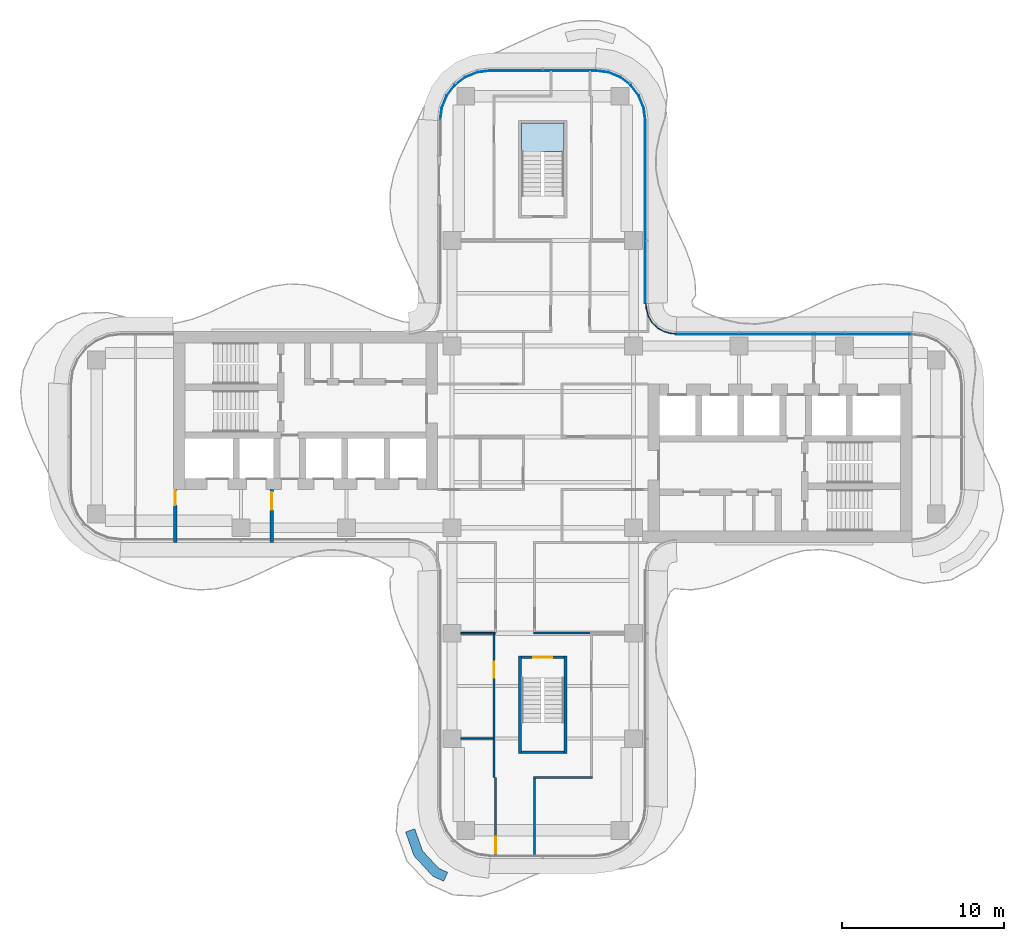
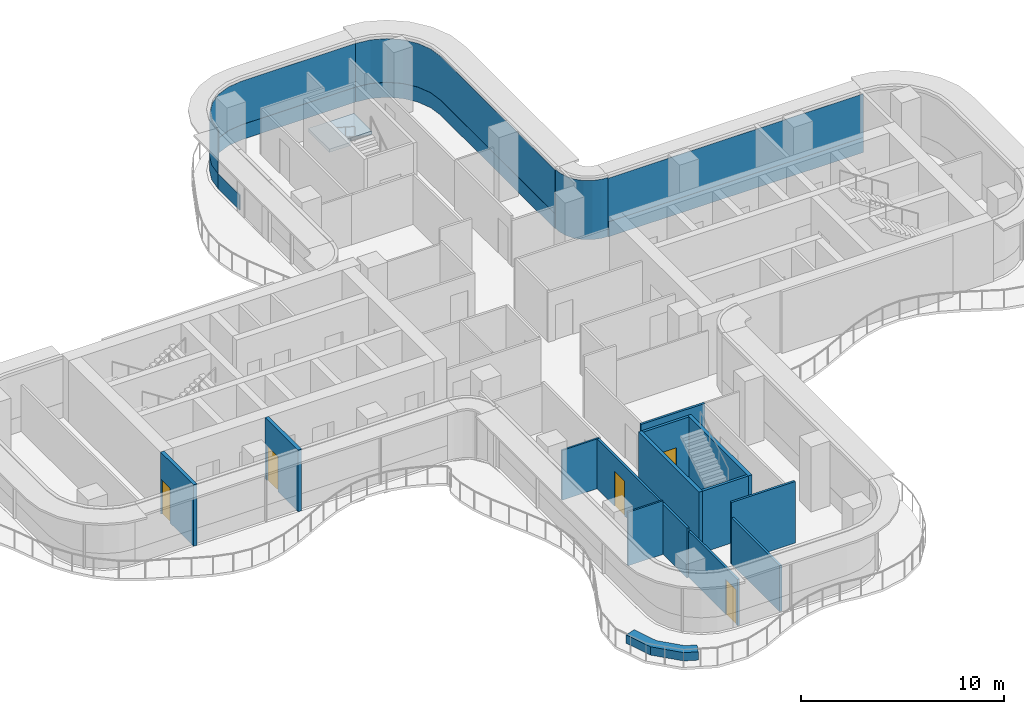
# One storey, part 11 of 17: 14 walls, 8 plates, 5 doors, 1 slab, 5 openings, 6 elements without a shape of their own.
"""IFC4 building model written with IfcOpenShell, lengths in metres."""

from ifc_helpers import new_model, si_unit, direction, frame, frame_2d, origin, place, context, subcontext, project, spatial, polyline, rectangle, outline, extrude, source, transform, mapped, material, layer, layer_set, type_object, element, fill, aggregate, save


model = new_model("IFC4")

# Units and contexts
model_context = context("Model", 3, precision=1e-05, world=origin(), true_north=direction((0.0, 1.0)))
body_context = subcontext(model_context, "Body", "Model", "MODEL_VIEW")
ifc_project = project(units=[si_unit("LENGTHUNIT", "METRE"), si_unit("AREAUNIT", "SQUARE_METRE"), si_unit("VOLUMEUNIT", "CUBIC_METRE"), si_unit("PLANEANGLEUNIT", "RADIAN"), si_unit("MASSUNIT", "GRAM", prefix="KILO")], contexts=[model_context])

# Site, building, storey
site_placement = place(None, origin())
site = spatial("IfcSite", under=ifc_project, at=site_placement, CompositionType="ELEMENT")
building_placement = place(site_placement, origin())
building = spatial("IfcBuilding", under=site, at=building_placement, Name="Trellis Farm Tower", CompositionType="ELEMENT")
storey_placement = place(building_placement, frame((0.0, 0.0, 232.39990234375)))
storey = spatial("IfcBuildingStorey", under=building, at=storey_placement, Name="L51", CompositionType="ELEMENT", Elevation=232.39990234375)

# Curtain wall, plate
ifc_material_1 = material(Name="Aluminium and glass curtain wall", Category="aluminium")
ifc_layer_1 = layer(ifc_material_1, 0.18994140625)
ifc_layer_set_1 = layer_set([ifc_layer_1], Name="RIBBON CURTAIN WALL CW1")
curtain_wall_type_1 = type_object("IfcCurtainWallType", Name="RIBBON CURTAIN WALL CW1", PredefinedType="NOTDEFINED", material=ifc_layer_set_1)
placement_1 = place(storey_placement, origin())
curtain_wall_1 = element("IfcCurtainWall", 1, at=placement_1, inside=storey, type_object=curtain_wall_type_1, Name="CW1 010", PredefinedType="NOTDEFINED")
ifc_material_2 = material(Name="Sandstone faced insulated panel", Category="masonry")
ifc_layer_2 = layer(ifc_material_2, 0.050048828125)
ifc_layer_set_2 = layer_set([ifc_layer_2], Name="CW1 STONE SPANDREL PANEL 50")
plate_type_1 = type_object("IfcPlateType", Name="CW1 STONE SPANDREL PANEL 50", PredefinedType="CURTAIN_PANEL", material=ifc_layer_set_2)
plate_1 = element("IfcPlate", 2, at=placement_1, type_object=plate_type_1, Name="PS1 010", PredefinedType="CURTAIN_PANEL", context=body_context, shape_type="SweptSolid", body=[
    extrude(outline(polyline([(-6.35009765625, 19.490234375), (-6.35009765625, 17.360107421875), (-6.300048828125, 17.360107421875), (-6.300048828125, 19.48681640625), (-6.35009765625, 19.490234375)])), origin(), (0.0, 0.0, 1.0), 0.900146484375),
])
aggregate(curtain_wall_1, [plate_1])

# Stair, slab
ifc_material_3 = material(Name="Concrete C50/60", Category="concrete")
stair_type = type_object("IfcStairType", Name="CORE EXIT STAIR 22 RISERS 177 MM", PredefinedType="HALF_TURN_STAIR", material=ifc_material_3)
stair = element("IfcStair", 3, at=placement_1, inside=storey, type_object=stair_type, Name="Exit stair N", PredefinedType="HALF_TURN_STAIR")
ifc_layer_3 = layer(ifc_material_3, 0.18994140625)
ifc_layer_set_3 = layer_set([ifc_layer_3], Name="CORE STAIR LANDING 190 CONCRETE C50/60")
slab_type = type_object("IfcSlabType", Name="CORE STAIR LANDING 190 CONCRETE C50/60", PredefinedType="LANDING", material=ifc_layer_set_3)
shared_shape_1 = source(origin(), body_context, "Body", "SweptSolid", [
    extrude(outline(polyline([(-0.10009765625, 17.27197265625), (-1.300048828125, 17.27197265625), (-1.300048828125, 17.60009765625), (-1.300048828125, 19.35009765625), (1.300048828125, 19.35009765625), (1.300048828125, 17.60009765625), (1.300048828125, 17.590087890625), (0.10009765625, 17.590087890625), (0.10009765625, 17.60009765625), (-0.10009765625, 17.60009765625), (-0.10009765625, 17.27197265625)])), origin(), (0.0, 0.0, 1.0), 0.190185546875),
])
slab_placement = place(storey_placement, frame((0.0, 0.0, 1.760009765625)))
slab = element("IfcSlab", 4, at=slab_placement, type_object=slab_type, Name="STN landing 1", PredefinedType="LANDING", context=body_context, shape_type="MappedRepresentation", body=[
    mapped(shared_shape_1, transform((0.0, 0.0, 0.0))),
])
aggregate(stair, [slab])

# Curtain wall, plate
ifc_layer_4 = layer(ifc_material_1, 0.166015625)
ifc_layer_set_4 = layer_set([ifc_layer_4], Name="WINTER GARDEN CURTAIN WALL CW3")
curtain_wall_type_2 = type_object("IfcCurtainWallType", Name="WINTER GARDEN CURTAIN WALL CW3", PredefinedType="NOTDEFINED", material=ifc_layer_set_4)
curtain_wall_2 = element("IfcCurtainWall", 5, at=placement_1, inside=storey, type_object=curtain_wall_type_2, Name="CW3 003", PredefinedType="NOTDEFINED")
ifc_material_4 = material(Name="Clear insulated glass", Category="glass")
ifc_layer_5 = layer(ifc_material_4, 0.0458984375)
ifc_layer_set_5 = layer_set([ifc_layer_5], Name="CW3 GLASS PANEL 46")
plate_type_2 = type_object("IfcPlateType", Name="CW3 GLASS PANEL 46", PredefinedType="CURTAIN_PANEL", material=ifc_layer_set_5)
shared_shape_2 = source(origin(), body_context, "Body", "SweptSolid", [
    extrude(outline(polyline([(8.2275390625, 6.3798828125), (8.0078125, 6.394287109375), (7.89208984375, 6.40966796875), (7.462158203125, 6.52490234375), (7.070556640625, 6.7509765625), (6.7509765625, 7.070556640625), (6.52490234375, 7.462158203125), (6.40966796875, 7.89208984375), (6.394287109375, 8.0078125), (6.3798828125, 8.2275390625), (6.333984375, 8.22607421875), (6.3486328125, 8.003173828125), (6.364501953125, 7.883056640625), (6.48193359375, 7.4443359375), (6.714111328125, 7.04248046875), (7.04248046875, 6.714111328125), (7.4443359375, 6.48193359375), (7.883056640625, 6.364501953125), (8.003173828125, 6.3486328125), (8.22607421875, 6.333984375), (8.2275390625, 6.3798828125)])), origin(), (0.0, 0.0, 1.0), 3.550048828125),
])
plate_2 = element("IfcPlate", 6, at=placement_1, type_object=plate_type_2, Name="PL3 003", PredefinedType="CURTAIN_PANEL", context=body_context, shape_type="MappedRepresentation", body=[
    mapped(shared_shape_2, transform((0.0, 0.0, 0.0))),
])
aggregate(curtain_wall_2, [plate_2])

# Curtain wall, plates
curtain_wall_3 = element("IfcCurtainWall", 7, at=placement_1, inside=storey, type_object=curtain_wall_type_1, Name="CW1 008", PredefinedType="NOTDEFINED")
ifc_layer_6 = layer(ifc_material_4, 0.0400390625)
ifc_layer_set_6 = layer_set([ifc_layer_6], Name="CW1 GLASS PANEL 40")
plate_type_3 = type_object("IfcPlateType", Name="CW1 GLASS PANEL 40", PredefinedType="CURTAIN_PANEL", material=ifc_layer_set_6)
shared_shape_3 = source(origin(), body_context, "Body", "SweptSolid", [
    extrude(outline(polyline([(6.35009765625, 8.2265625), (6.35009765625, 19.490234375), (6.2431640625, 20.302001953125), (5.93359375, 21.04931640625), (5.441162109375, 21.691162109375), (4.79931640625, 22.18359375), (4.052001953125, 22.4931640625), (3.240234375, 22.60009765625), (3.237548828125, 22.56005859375), (4.04150390625, 22.4541015625), (4.779296875, 22.148681640625), (5.41259765625, 21.66259765625), (5.898681640625, 21.029296875), (6.2041015625, 20.29150390625), (6.31005859375, 19.487548828125), (6.31005859375, 8.22509765625), (6.35009765625, 8.2265625)])), origin(), (0.0, 0.0, 1.0), 2.619873046875),
])
placement_2 = place(storey_placement, frame((0.0, 0.0, 0.900146484375)))
plate_3 = element("IfcPlate", 8, at=placement_2, type_object=plate_type_3, Name="PL1 008", PredefinedType="CURTAIN_PANEL", context=body_context, shape_type="MappedRepresentation", body=[
    mapped(shared_shape_3, transform((0.0, 0.0, 0.0))),
])
shared_shape_4 = source(origin(), body_context, "Body", "SweptSolid", [
    extrude(outline(polyline([(6.35009765625, 8.2265625), (6.35009765625, 19.490234375), (6.2431640625, 20.302001953125), (5.93359375, 21.04931640625), (5.441162109375, 21.691162109375), (4.79931640625, 22.18359375), (4.052001953125, 22.4931640625), (3.240234375, 22.60009765625), (3.23681640625, 22.550048828125), (4.0390625, 22.4443359375), (4.774169921875, 22.139892578125), (5.405517578125, 21.655517578125), (5.889892578125, 21.024169921875), (6.1943359375, 20.2890625), (6.300048828125, 19.48681640625), (6.300048828125, 8.224853515625), (6.35009765625, 8.2265625)])), origin(), (0.0, 0.0, 1.0), 0.900146484375),
])
plate_4 = element("IfcPlate", 9, at=placement_1, type_object=plate_type_1, Name="PS1 008", PredefinedType="CURTAIN_PANEL", context=body_context, shape_type="MappedRepresentation", body=[
    mapped(shared_shape_4, transform((0.0, 0.0, 0.0))),
])
aggregate(curtain_wall_3, [plate_3, plate_4])

curtain_wall_4 = element("IfcCurtainWall", 10, at=placement_1, inside=storey, type_object=curtain_wall_type_1, Name="CW1 009", PredefinedType="NOTDEFINED")
shared_shape_5 = source(origin(), body_context, "Body", "SweptSolid", [
    extrude(outline(polyline([(3.240234375, 22.60009765625), (-3.240234375, 22.60009765625), (-4.052001953125, 22.4931640625), (-4.79931640625, 22.18359375), (-5.441162109375, 21.691162109375), (-5.93359375, 21.04931640625), (-6.2431640625, 20.302001953125), (-6.35009765625, 19.490234375), (-6.31005859375, 19.487548828125), (-6.2041015625, 20.29150390625), (-5.898681640625, 21.029296875), (-5.41259765625, 21.66259765625), (-4.779296875, 22.148681640625), (-4.04150390625, 22.4541015625), (-3.237548828125, 22.56005859375), (3.237548828125, 22.56005859375), (3.240234375, 22.60009765625)])), origin(), (0.0, 0.0, 1.0), 2.619873046875),
])
plate_5 = element("IfcPlate", 11, at=placement_2, type_object=plate_type_3, Name="PL1 009", PredefinedType="CURTAIN_PANEL", context=body_context, shape_type="MappedRepresentation", body=[
    mapped(shared_shape_5, transform((0.0, 0.0, 0.0))),
])
shared_shape_6 = source(origin(), body_context, "Body", "SweptSolid", [
    extrude(outline(polyline([(3.240234375, 22.60009765625), (-3.240234375, 22.60009765625), (-4.052001953125, 22.4931640625), (-4.79931640625, 22.18359375), (-5.441162109375, 21.691162109375), (-5.93359375, 21.04931640625), (-6.2431640625, 20.302001953125), (-6.35009765625, 19.490234375), (-6.300048828125, 19.48681640625), (-6.1943359375, 20.2890625), (-5.889892578125, 21.024169921875), (-5.405517578125, 21.655517578125), (-4.774169921875, 22.139892578125), (-4.0390625, 22.4443359375), (-3.23681640625, 22.550048828125), (3.23681640625, 22.550048828125), (3.240234375, 22.60009765625)])), origin(), (0.0, 0.0, 1.0), 0.900146484375),
])
plate_6 = element("IfcPlate", 12, at=placement_1, type_object=plate_type_1, Name="PS1 009", PredefinedType="CURTAIN_PANEL", context=body_context, shape_type="MappedRepresentation", body=[
    mapped(shared_shape_6, transform((0.0, 0.0, 0.0))),
])
aggregate(curtain_wall_4, [plate_5, plate_6])

curtain_wall_5 = element("IfcCurtainWall", 13, at=placement_1, inside=storey, type_object=curtain_wall_type_1, Name="CW1 007", PredefinedType="NOTDEFINED")
shared_shape_7 = source(origin(), body_context, "Body", "SweptSolid", [
    extrude(outline(polyline([(22.740234375, 6.35009765625), (8.2265625, 6.35009765625), (8.22509765625, 6.31005859375), (22.737548828125, 6.31005859375), (22.740234375, 6.35009765625)])), origin(), (0.0, 0.0, 1.0), 2.619873046875),
])
plate_7 = element("IfcPlate", 14, at=placement_2, type_object=plate_type_3, Name="PL1 007", PredefinedType="CURTAIN_PANEL", context=body_context, shape_type="MappedRepresentation", body=[
    mapped(shared_shape_7, transform((0.0, 0.0, 0.0))),
])
shared_shape_8 = source(origin(), body_context, "Body", "SweptSolid", [
    extrude(outline(polyline([(22.740234375, 6.35009765625), (8.2265625, 6.35009765625), (8.224853515625, 6.300048828125), (22.73681640625, 6.300048828125), (22.740234375, 6.35009765625)])), origin(), (0.0, 0.0, 1.0), 0.900146484375),
])
plate_8 = element("IfcPlate", 15, at=placement_1, type_object=plate_type_1, Name="PS1 007", PredefinedType="CURTAIN_PANEL", context=body_context, shape_type="MappedRepresentation", body=[
    mapped(shared_shape_8, transform((0.0, 0.0, 0.0))),
])
aggregate(curtain_wall_5, [plate_7, plate_8])

# Wall
ifc_material_5 = material(Name="Sandstone faced masonry planter", Category="masonry")
ifc_layer_7 = layer(ifc_material_5, 0.60009765625)
ifc_layer_set_7 = layer_set([ifc_layer_7], Name="PLANTER BED 600")
wall_type_1 = type_object("IfcWallType", Name="PLANTER BED 600", PredefinedType="USERDEFINED", material=ifc_layer_set_7)
element("IfcWall", 16, at=placement_1, inside=storey, type_object=wall_type_1, Name="PLANTER bed", ObjectType="PLANTER", PredefinedType="USERDEFINED", context=body_context, shape_type="SweptSolid", body=[
    extrude(outline(polyline([(-6.760986328125, -27.091064453125), (-7.930908203125, -25.831787109375), (-8.4541015625, -24.353759765625), (-7.888671875, -24.1533203125), (-7.40673828125, -25.514404296875), (-6.404541015625, -26.59326171875), (-5.85791015625, -26.83740234375), (-6.1025390625, -27.38525390625), (-6.760986328125, -27.091064453125)])), origin(), (0.0, 0.0, 1.0), 0.5),
])

# Wall, opening, door
ifc_material_6 = material(Name="Masonry blockwork", Category="masonry")
ifc_layer_8 = layer(ifc_material_6, 0.199951171875)
ifc_layer_set_8 = layer_set([ifc_layer_8], Name="FIRE LOBBY PARTITION 200 BLOCKWORK")
wall_type_2 = type_object("IfcWallType", Name="FIRE LOBBY PARTITION 200 BLOCKWORK", PredefinedType="PARTITIONING", material=ifc_layer_set_8)
shared_shape_9 = source(origin(), body_context, "Body", "SweptSolid", [
    extrude(rectangle(XDim=3.25, YDim=0.199951171875, at=frame_2d((1.625, 0.0))), origin(), (0.0, 0.0, 1.0), 3.7001953125),
])
wall_2_placement = place(storey_placement, frame((-16.699951171875, -3.25, 0.0), z_axis=(0.0, 0.0, 1.0), x_axis=(0.0, -1.0, 0.0)))
wall_2 = element("IfcWall", 17, at=wall_2_placement, inside=storey, type_object=wall_type_2, Name="Fire-fighting lobby partition", PredefinedType="PARTITIONING", context=body_context, shape_type="MappedRepresentation", body=[
    mapped(shared_shape_9, transform((0.0, 0.0, 0.0))),
])
shared_shape_10 = source(origin(), body_context, "Body", "SweptSolid", [
    extrude(rectangle(XDim=1.10009765625, YDim=2.10009765625, at=frame_2d((0.550048828125, 1.050048828125))), frame((0.0, 0.110107421875, 0.0), z_axis=(0.0, -1.0, 0.0), x_axis=(1.0, 0.0, 0.0)), (0.0, 0.0, 1.0), 0.22021484375),
])
opening_1_placement = place(wall_2_placement, frame((0.14990234375, 0.0, 0.0)))
opening_1 = element("IfcOpeningElement", 18, at=opening_1_placement, cuts=wall_2, Name="Opening DC93", PredefinedType="OPENING", context=body_context, shape_type="MappedRepresentation", body=[
    mapped(shared_shape_10, transform((0.0, 0.0, 0.0))),
])
ifc_material_7 = material(Name="Steel", Category="steel")
door_type_1 = type_object("IfcDoorType", Name="CORE FIRE DOOR 1100 X 2100", OperationType="NOTDEFINED", PredefinedType="DOOR", material=ifc_material_7)
shared_shape_11 = source(origin(), body_context, "Body", "SweptSolid", [
    extrude(rectangle(XDim=1.10009765625, YDim=2.10009765625, at=frame_2d((0.550048828125, 1.050048828125))), frame((0.0, 0.02490234375, 0.0), z_axis=(0.0, -1.0, 0.0), x_axis=(1.0, 0.0, 0.0)), (0.0, 0.0, 1.0), 0.050048828125),
])
door_1_placement = place(opening_1_placement, origin())
door_1 = element("IfcDoor", 19, at=door_1_placement, inside=storey, type_object=door_type_1, Name="Core door", OperationType="SINGLE_SWING_RIGHT", OverallHeight=2.10009765625, OverallWidth=1.10009765625, PredefinedType="DOOR", context=body_context, shape_type="MappedRepresentation", body=[
    mapped(shared_shape_11, transform((0.0, 0.0, 0.0))),
])
fill(opening_1, door_1)

wall_3_placement = place(storey_placement, frame((-22.64990234375, -3.25, 0.0), z_axis=(0.0, 0.0, 1.0), x_axis=(0.0, -1.0, 0.0)))
wall_3 = element("IfcWall", 20, at=wall_3_placement, inside=storey, type_object=wall_type_2, Name="Fire-fighting lobby partition", PredefinedType="PARTITIONING", context=body_context, shape_type="MappedRepresentation", body=[
    mapped(shared_shape_9, transform((0.0, 0.0, 0.0))),
])
shared_shape_12 = source(origin(), body_context, "Body", "SweptSolid", [
    extrude(rectangle(XDim=0.89990234375, YDim=2.10009765625, at=frame_2d((0.449951171875, 1.050048828125))), frame((0.0, 0.110107421875, 0.0), z_axis=(0.0, -1.0, 0.0), x_axis=(1.0, 0.0, 0.0)), (0.0, 0.0, 1.0), 0.22021484375),
])
opening_2_placement = place(wall_3_placement, frame((0.050048828125, 0.0, 0.0)))
opening_2 = element("IfcOpeningElement", 21, at=opening_2_placement, cuts=wall_3, Name="Opening DC94", PredefinedType="OPENING", context=body_context, shape_type="MappedRepresentation", body=[
    mapped(shared_shape_12, transform((0.0, 0.0, 0.0))),
])
door_type_2 = type_object("IfcDoorType", Name="CORE FIRE DOOR 900 X 2100", OperationType="NOTDEFINED", PredefinedType="DOOR", material=ifc_material_7)
shared_shape_13 = source(origin(), body_context, "Body", "SweptSolid", [
    extrude(rectangle(XDim=0.89990234375, YDim=2.10009765625, at=frame_2d((0.449951171875, 1.050048828125))), frame((0.0, 0.02490234375, 0.0), z_axis=(0.0, -1.0, 0.0), x_axis=(1.0, 0.0, 0.0)), (0.0, 0.0, 1.0), 0.050048828125),
])
door_2_placement = place(opening_2_placement, origin())
door_2 = element("IfcDoor", 22, at=door_2_placement, inside=storey, type_object=door_type_2, Name="Core door", OperationType="SINGLE_SWING_RIGHT", OverallHeight=2.10009765625, OverallWidth=0.89990234375, PredefinedType="DOOR", context=body_context, shape_type="MappedRepresentation", body=[
    mapped(shared_shape_13, transform((0.0, 0.0, 0.0))),
])
fill(opening_2, door_2)

# Walls
ifc_material_8 = material(Name="Concrete C60/75", Category="concrete")
ifc_layer_9 = layer(ifc_material_8, 0.199951171875)
ifc_layer_set_9 = layer_set([ifc_layer_9], Name="CORE STAIR ENCLOSURE WALL 200 CONCRETE C60/75")
wall_type_3 = type_object("IfcWallType", Name="CORE STAIR ENCLOSURE WALL 200 CONCRETE C60/75", PredefinedType="SHEAR", material=ifc_layer_set_9)
shared_shape_14 = source(origin(), body_context, "Body", "SweptSolid", [
    extrude(rectangle(XDim=6.0, YDim=0.199951171875, at=frame_2d((3.0, 0.0))), origin(), (0.0, 0.0, 1.0), 3.7001953125),
])
for number, where, z_axis, x_axis, name in (
    (23, (1.39990234375, -13.5, 0.0), (0.0, 0.0, 1.0), (0.0, -1.0, 0.0), "Stair enclosure wall"),
    (24, (-1.39990234375, -13.5, 0.0), (0.0, 0.0, 1.0), (0.0, -1.0, 0.0), "Stair enclosure wall"),
):
    element("IfcWall", number, at=place(storey_placement, frame(where, z_axis=z_axis, x_axis=x_axis)), inside=storey, type_object=wall_type_3, Name=name, PredefinedType="SHEAR", context=body_context, shape_type="MappedRepresentation", body=[
        mapped(shared_shape_14, transform((0.0, 0.0, 0.0))),
    ])

# Wall, opening, door
ifc_layer_10 = layer(ifc_material_8, 0.14990234375)
ifc_layer_set_10 = layer_set([ifc_layer_10], Name="CORE STAIR ENCLOSURE WALL 150 CONCRETE C60/75")
wall_type_4 = type_object("IfcWallType", Name="CORE STAIR ENCLOSURE WALL 150 CONCRETE C60/75", PredefinedType="SHEAR", material=ifc_layer_set_10)
shared_shape_15 = source(origin(), body_context, "Body", "SweptSolid", [
    extrude(rectangle(XDim=2.60009765625, YDim=0.14990234375, at=frame_2d((1.300048828125, 0.0))), origin(), (0.0, 0.0, 1.0), 3.7001953125),
])
wall_4_placement = place(storey_placement, frame((1.300048828125, -13.574951171875, 0.0), z_axis=(0.0, 0.0, 1.0), x_axis=(-1.0, 0.0, 0.0)))
wall_4 = element("IfcWall", 25, at=wall_4_placement, inside=storey, type_object=wall_type_4, Name="Stair enclosure wall", PredefinedType="SHEAR", context=body_context, shape_type="MappedRepresentation", body=[
    mapped(shared_shape_15, transform((0.0, 0.0, 0.0))),
])
shared_shape_16 = source(origin(), body_context, "Body", "SweptSolid", [
    extrude(rectangle(XDim=1.199951171875, YDim=2.10009765625, at=frame_2d((0.60009765625, 1.050048828125))), frame((0.0, 0.0849609375, 0.0), z_axis=(0.0, -1.0, 0.0), x_axis=(1.0, 0.0, 0.0)), (0.0, 0.0, 1.0), 0.169921875),
])
opening_3_placement = place(wall_4_placement, frame((0.699951171875, 0.0, 0.0)))
opening_3 = element("IfcOpeningElement", 26, at=opening_3_placement, cuts=wall_4, Name="Opening DC174", PredefinedType="OPENING", context=body_context, shape_type="MappedRepresentation", body=[
    mapped(shared_shape_16, transform((0.0, 0.0, 0.0))),
])
door_type_3 = type_object("IfcDoorType", Name="CORE FIRE DOOR 1200 X 2100", OperationType="NOTDEFINED", PredefinedType="DOOR", material=ifc_material_7)
shared_shape_17 = source(origin(), body_context, "Body", "SweptSolid", [
    extrude(rectangle(XDim=1.199951171875, YDim=2.10009765625, at=frame_2d((0.60009765625, 1.050048828125))), frame((0.0, 0.02490234375, 0.0), z_axis=(0.0, -1.0, 0.0), x_axis=(1.0, 0.0, 0.0)), (0.0, 0.0, 1.0), 0.050048828125),
])
door_3_placement = place(opening_3_placement, origin())
door_3 = element("IfcDoor", 27, at=door_3_placement, inside=storey, type_object=door_type_3, Name="Core door", OperationType="SINGLE_SWING_RIGHT", OverallHeight=2.10009765625, OverallWidth=1.199951171875, PredefinedType="DOOR", context=body_context, shape_type="MappedRepresentation", body=[
    mapped(shared_shape_17, transform((0.0, 0.0, 0.0))),
])
fill(opening_3, door_3)

# Walls
wall_5_placement = place(storey_placement, frame((1.300048828125, -19.425048828125, 0.0), z_axis=(0.0, 0.0, 1.0), x_axis=(-1.0, 0.0, 0.0)))
element("IfcWall", 28, at=wall_5_placement, inside=storey, type_object=wall_type_4, Name="Stair enclosure wall", PredefinedType="SHEAR", context=body_context, shape_type="MappedRepresentation", body=[
    mapped(shared_shape_15, transform((0.0, 0.0, 0.0))),
])
ifc_material_9 = material(Name="Plasterboard on steel studs, mineral wool", Category="steel")
ifc_layer_11 = layer(ifc_material_9, 0.125)
ifc_layer_set_11 = layer_set([ifc_layer_11], Name="PARTITION 125 STUD EI 60")
wall_type_5 = type_object("IfcWallType", Name="PARTITION 125 STUD EI 60", PredefinedType="PARTITIONING", material=ifc_layer_set_11)
shared_shape_18 = source(origin(), body_context, "Body", "SweptSolid", [
    extrude(rectangle(XDim=3.625, YDim=0.125, at=frame_2d((1.8125, 0.0))), origin(), (0.0, 0.0, 1.0), 2.99658203125),
])
wall_6_placement = place(storey_placement, frame((-0.5625, -12.10009765625, 0.0), z_axis=(0.0, 0.0, 1.0), x_axis=(1.0, 0.0, 0.0)))
element("IfcWall", 29, at=wall_6_placement, inside=storey, type_object=wall_type_5, Name="Partition PW1", PredefinedType="PARTITIONING", context=body_context, shape_type="MappedRepresentation", body=[
    mapped(shared_shape_18, transform((0.0, 0.0, 0.0))),
])

# Wall, opening, door
shared_shape_19 = source(origin(), body_context, "Body", "SweptSolid", [
    extrude(rectangle(XDim=8.85009765625, YDim=0.125, at=frame_2d((4.425048828125, 0.0))), origin(), (0.0, 0.0, 1.0), 2.99658203125),
])
wall_7_placement = place(storey_placement, frame((-3.0, -21.0, 0.0), z_axis=(0.0, 0.0, 1.0), x_axis=(0.0, 1.0, 0.0)))
wall_7 = element("IfcWall", 30, at=wall_7_placement, inside=storey, type_object=wall_type_5, Name="Partition PW1", PredefinedType="PARTITIONING", context=body_context, shape_type="MappedRepresentation", body=[
    mapped(shared_shape_19, transform((0.0, 0.0, 0.0))),
])
shared_shape_20 = source(origin(), body_context, "Body", "SweptSolid", [
    extrude(rectangle(XDim=1.0, YDim=2.10009765625, at=frame_2d((0.5, 1.050048828125))), frame((0.0, 0.072509765625, 0.0), z_axis=(0.0, -1.0, 0.0), x_axis=(1.0, 0.0, 0.0)), (0.0, 0.0, 1.0), 0.14501953125),
])
opening_4_placement = place(wall_7_placement, frame((6.14990234375, 0.0, 0.0)))
opening_4 = element("IfcOpeningElement", 31, at=opening_4_placement, cuts=wall_7, Name="Opening D102", PredefinedType="OPENING", context=body_context, shape_type="MappedRepresentation", body=[
    mapped(shared_shape_20, transform((0.0, 0.0, 0.0))),
])
ifc_material_10 = material(Name="Fire-rated timber door leaf in a hollow metal frame", Category="wood")
door_type_4 = type_object("IfcDoorType", Name="DOOR 1000x2100 FD30S", OperationType="NOTDEFINED", PredefinedType="DOOR", material=ifc_material_10)
shared_shape_21 = source(origin(), body_context, "Body", "SweptSolid", [
    extrude(rectangle(XDim=1.0, YDim=2.10009765625, at=frame_2d((0.5, 1.050048828125))), frame((0.0, 0.02490234375, 0.0), z_axis=(0.0, -1.0, 0.0), x_axis=(1.0, 0.0, 0.0)), (0.0, 0.0, 1.0), 0.050048828125),
])
door_4_placement = place(opening_4_placement, origin())
door_4 = element("IfcDoor", 32, at=door_4_placement, inside=storey, type_object=door_type_4, Name="Door D102", OperationType="SINGLE_SWING_RIGHT", OverallHeight=2.10009765625, OverallWidth=1.0, PredefinedType="DOOR", context=body_context, shape_type="MappedRepresentation", body=[
    mapped(shared_shape_21, transform((0.0, 0.0, 0.0))),
])
fill(opening_4, door_4)

shared_shape_22 = source(origin(), body_context, "Body", "SweptSolid", [
    extrude(rectangle(XDim=4.800048828125, YDim=0.125, at=frame_2d((2.39990234375, 0.0))), origin(), (0.0, 0.0, 1.0), 2.780029296875),
])
wall_8_placement = place(storey_placement, frame((-2.89990234375, -25.800048828125, 0.0), z_axis=(0.0, 0.0, 1.0), x_axis=(0.0, 1.0, 0.0)))
wall_8 = element("IfcWall", 33, at=wall_8_placement, inside=storey, type_object=wall_type_5, Name="Partition PW1", PredefinedType="PARTITIONING", context=body_context, shape_type="MappedRepresentation", body=[
    mapped(shared_shape_22, transform((0.0, 0.0, 0.0))),
])
opening_5_placement = place(wall_8_placement, frame((0.14990234375, 0.0, 0.0)))
opening_5 = element("IfcOpeningElement", 34, at=opening_5_placement, cuts=wall_8, Name="Opening D101", PredefinedType="OPENING", context=body_context, shape_type="MappedRepresentation", body=[
    mapped(shared_shape_20, transform((0.0, 0.0, 0.0))),
])
door_5_placement = place(opening_5_placement, origin())
door_5 = element("IfcDoor", 35, at=door_5_placement, inside=storey, type_object=door_type_4, Name="Door D101", OperationType="SINGLE_SWING_LEFT", OverallHeight=2.10009765625, OverallWidth=1.0, PredefinedType="DOOR", context=body_context, shape_type="MappedRepresentation", body=[
    mapped(shared_shape_21, transform((0.0, 0.0, 0.0))),
])
fill(opening_5, door_5)

# Walls
shared_shape_23 = source(origin(), body_context, "Body", "SweptSolid", [
    extrude(rectangle(XDim=4.737548828125, YDim=0.125, at=frame_2d((2.36865234375, 0.0))), origin(), (0.0, 0.0, 1.0), 2.780029296875),
])
wall_9_placement = place(storey_placement, frame((-0.5, -21.0625, 0.0), z_axis=(0.0, 0.0, 1.0), x_axis=(0.0, -1.0, 0.0)))
element("IfcWall", 36, at=wall_9_placement, inside=storey, type_object=wall_type_5, Name="Partition PW1", PredefinedType="PARTITIONING", context=body_context, shape_type="MappedRepresentation", body=[
    mapped(shared_shape_23, transform((0.0, 0.0, 0.0))),
])
shared_shape_24 = source(origin(), body_context, "Body", "SweptSolid", [
    extrude(rectangle(XDim=3.625, YDim=0.125, at=frame_2d((1.8125, 0.0))), origin(), (0.0, 0.0, 1.0), 3.7001953125),
])
wall_10_placement = place(storey_placement, frame((3.0625, -21.0, 0.0), z_axis=(0.0, 0.0, 1.0), x_axis=(-1.0, 0.0, 0.0)))
element("IfcWall", 37, at=wall_10_placement, inside=storey, type_object=wall_type_5, Name="Partition PW1", PredefinedType="PARTITIONING", context=body_context, shape_type="MappedRepresentation", body=[
    mapped(shared_shape_24, transform((0.0, 0.0, 0.0))),
])
ifc_material_11 = material(Name="Plasterboard on steel studs", Category="steel")
ifc_layer_12 = layer(ifc_material_11, 0.10009765625)
ifc_layer_set_12 = layer_set([ifc_layer_12], Name="PARTITION 100 STUD EI 30")
wall_type_6 = type_object("IfcWallType", Name="PARTITION 100 STUD EI 30", PredefinedType="PARTITIONING", material=ifc_layer_set_12)
shared_shape_25 = source(origin(), body_context, "Body", "SweptSolid", [
    extrude(rectangle(XDim=2.112548828125, YDim=0.10009765625, at=frame_2d((1.05615234375, 0.0))), origin(), (0.0, 0.0, 1.0), 2.99658203125),
])
wall_11_placement = place(storey_placement, frame((-5.050048828125, -12.10009765625, 0.0), z_axis=(0.0, 0.0, 1.0), x_axis=(1.0, 0.0, 0.0)))
element("IfcWall", 38, at=wall_11_placement, inside=storey, type_object=wall_type_6, Name="Partition PW2", PredefinedType="PARTITIONING", context=body_context, shape_type="MappedRepresentation", body=[
    mapped(shared_shape_25, transform((0.0, 0.0, 0.0))),
])
shared_shape_26 = source(origin(), body_context, "Body", "SweptSolid", [
    extrude(rectangle(XDim=1.987548828125, YDim=0.10009765625, at=frame_2d((0.99365234375, 0.0))), origin(), (0.0, 0.0, 1.0), 3.22314453125),
])
wall_12_placement = place(storey_placement, frame((-5.050048828125, -18.60009765625, 0.0), z_axis=(0.0, 0.0, 1.0), x_axis=(1.0, 0.0, 0.0)))
element("IfcWall", 39, at=wall_12_placement, inside=storey, type_object=wall_type_6, Name="Partition PW2", PredefinedType="PARTITIONING", context=body_context, shape_type="MappedRepresentation", body=[
    mapped(shared_shape_26, transform((0.0, 0.0, 0.0))),
])

save(model, "model.ifc")
